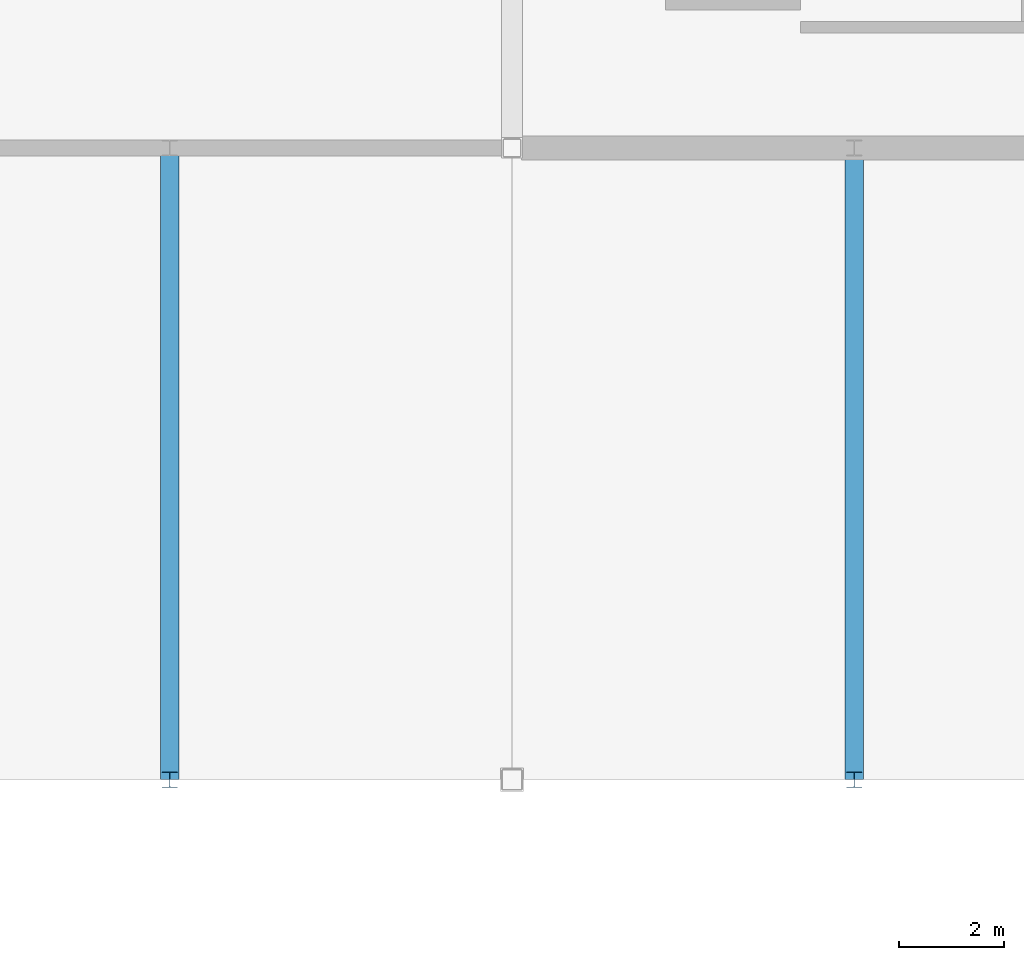
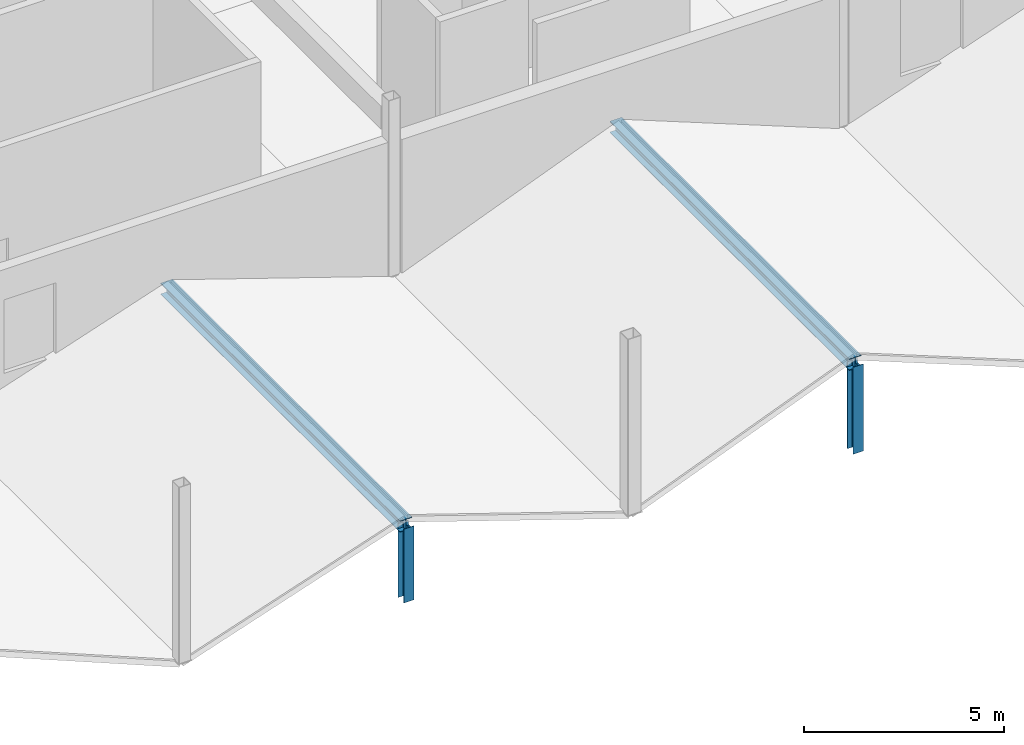
# One storey, part 36 of 76: 4 members.
"""IFC4 building model written with IfcOpenShell, lengths in metres."""

import ifcopenshell
import ifcopenshell.guid

model = None  # the IFC model being written
_history = None  # IfcOwnerHistory: only IFC2X3 demands one
_inside = {}  # id of a spatial element -> (the spatial element, [elements in it])
_under = {}  # id of a project, library or spatial element -> (it, [spatial elements below it])
_declared = {}  # id of a project -> (the project, [libraries it declares])
_typed = {}  # id of a type object -> (the type object, [elements of that type])
_made_of = {}  # id of a material, layer set ... -> (it, [elements and type objects made of it])


def new_model(schema):
    """Start an empty IFC model of exactly this schema.

    Asked for "IFC4X3", IfcOpenShell would pick the latest addendum, in which some entities
    have other attributes; the version numbers below select the first issue.
    IFC2X3 requires an IfcOwnerHistory on every rooted entity: one is made here for all.
    """
    global model, _history
    if schema == "IFC4X3":
        model = ifcopenshell.file(schema_version=(4, 3, 0, 0))
    else:
        model = ifcopenshell.file(schema=schema)
    _inside.clear()
    _under.clear()
    _declared.clear()
    _typed.clear()
    _made_of.clear()
    _history = None
    if model.schema == "IFC2X3":
        org = make("IfcOrganization", Name="unknown")
        user = make(
            "IfcPersonAndOrganization",
            ThePerson=make("IfcPerson", FamilyName="unknown"),
            TheOrganization=org,
        )
        app = make(
            "IfcApplication",
            ApplicationDeveloper=org,
            Version="unknown",
            ApplicationFullName="unknown",
            ApplicationIdentifier="unknown",
        )
        _history = make(
            "IfcOwnerHistory",
            OwningUser=user,
            OwningApplication=app,
            ChangeAction="ADDED",
            CreationDate=0,
        )
    return model


def make(cls, **values):
    """One entity of the class cls with the attributes given. An attribute that is None is left unset."""
    return model.create_entity(
        cls, **{name: value for name, value in values.items() if value is not None}
    )


def rooted(cls, **values):
    """An entity with a GlobalId (a new one), such as an element, a storey or a relation."""
    return make(cls, GlobalId=ifcopenshell.guid.new(), OwnerHistory=_history, **values)


def si_unit(unit_type, name, prefix=None):
    """IfcSIUnit, for example si_unit("LENGTHUNIT", "METRE", prefix="MILLI")."""
    return make("IfcSIUnit", UnitType=unit_type, Prefix=prefix, Name=name)


def assignment(units):
    """IfcUnitAssignment: the units of a project."""
    return None if units is None else make("IfcUnitAssignment", Units=units)


def point(xyz):
    """IfcCartesianPoint."""
    return None if xyz is None else make("IfcCartesianPoint", Coordinates=xyz)


def direction(xyz):
    """IfcDirection."""
    return None if xyz is None else make("IfcDirection", DirectionRatios=xyz)


def frame(location, z_axis=None, x_axis=None):
    """IfcAxis2Placement3D, a coordinate frame: its origin and axes. An axis left out is left unset."""
    return make(
        "IfcAxis2Placement3D",
        Location=point(location),
        Axis=direction(z_axis),
        RefDirection=direction(x_axis),
    )


def frame_2d(location, x_axis=None):
    """IfcAxis2Placement2D, a coordinate frame in the plane: its origin and x axis."""
    return make(
        "IfcAxis2Placement2D", Location=point(location), RefDirection=direction(x_axis)
    )


def origin():
    """The frame at (0, 0, 0) with its axes left unset."""
    return frame((0.0, 0.0, 0.0))


def origin_2d():
    """The frame at (0, 0) in the plane with its x axis left unset."""
    return frame_2d((0.0, 0.0))


def place(relative_to, where):
    """IfcLocalPlacement: puts the frame where relative to a parent placement (None: the world)."""
    return make(
        "IfcLocalPlacement", PlacementRelTo=relative_to, RelativePlacement=where
    )


def context(
    kind, dimensions, precision=None, world=None, true_north=None, identifier=None
):
    """IfcGeometricRepresentationContext, for example the 3D "Model" context."""
    return make(
        "IfcGeometricRepresentationContext",
        ContextIdentifier=identifier,
        ContextType=kind,
        CoordinateSpaceDimension=dimensions,
        Precision=precision,
        WorldCoordinateSystem=world,
        TrueNorth=true_north,
    )


def subcontext(parent, identifier, kind, view, scale=None):
    """IfcGeometricRepresentationSubContext, for example "Body" below "Model"."""
    return make(
        "IfcGeometricRepresentationSubContext",
        ContextIdentifier=identifier,
        ContextType=kind,
        ParentContext=parent,
        TargetScale=scale,
        TargetView=view,
    )


def project(units=None, contexts=None):
    """IfcProject with its units and contexts."""
    return rooted(
        "IfcProject",
        Name="project",
        RepresentationContexts=contexts,
        UnitsInContext=assignment(units),
    )


def spatial(cls, under=None, at=None, **own):
    """A site, building, storey or space (cls), placed at a placement, below another one or the project."""
    s = rooted(cls, ObjectPlacement=at, **own)
    if under is not None:
        _under.setdefault(under.id(), (under, []))[1].append(s)
    return s


def profile(cls, at=None, kind="AREA", **sizes):
    """A parametric profile (cls). Its sizes go by their IFC names, for example OverallWidth=200.0."""
    return make(cls, ProfileType=kind, Position=at, **sizes)


def i_section(**sizes):
    """IfcIShapeProfileDef."""
    return profile("IfcIShapeProfileDef", **sizes)


def extrude(swept, where, along, depth):
    """IfcExtrudedAreaSolid: the profile swept, set in the frame where, extruded along a direction by depth."""
    return make(
        "IfcExtrudedAreaSolid",
        SweptArea=swept,
        Position=where,
        ExtrudedDirection=direction(along),
        Depth=depth,
    )


def shape(context_of_items, identifier, shape_type, items):
    """IfcShapeRepresentation: the items that make up one representation, for example the "Body"."""
    return make(
        "IfcShapeRepresentation",
        ContextOfItems=context_of_items,
        RepresentationIdentifier=identifier,
        RepresentationType=shape_type,
        Items=items,
    )


def material(Name=None, Category=None):
    """IfcMaterial."""
    return make("IfcMaterial", Name=Name, Category=Category)


def material_profile(
    of_material, cross_section, Name=None, Category=None, Priority=None
):
    """IfcMaterialProfile: a cross section and its material."""
    return make(
        "IfcMaterialProfile",
        Name=Name,
        Material=of_material,
        Profile=cross_section,
        Priority=Priority,
        Category=Category,
    )


def profile_set(profiles, Name=None, composite=None):
    """IfcMaterialProfileSet."""
    return make(
        "IfcMaterialProfileSet",
        Name=Name,
        MaterialProfiles=profiles,
        CompositeProfile=composite,
    )


def made_of(thing, what):
    """Note that an element or type object is made of a material, layer set ...; save() writes the relation."""
    if what is not None:
        _made_of.setdefault(what.id(), (what, []))[1].append(thing)
    return thing


def type_object(cls, material=None, **own):
    """A type object (cls), such as IfcWallType, which elements share."""
    return made_of(rooted(cls, **own), material)


def element(
    cls,
    number,
    at=None,
    inside=None,
    cuts=None,
    type_object=None,
    material=None,
    context=None,
    identifier="Body",
    shape_type=None,
    held_by="IfcProductDefinitionShape",
    body=None,
    shapes=None,
    **own,
):
    """One element of the class cls, such as IfcWall. Its Tag is "e" and its number.

    at: its placement. inside: the storey or other place that contains it. cuts: it is an
    opening in that element (IfcRelVoidsElement). A single representation is given by context,
    identifier, shape_type and body (its items); several are given by shapes. held_by: the class
    of the entity that holds the representations. save() writes the other relations.
    """
    e = rooted(cls, Tag="e%d" % number, ObjectPlacement=at, **own)
    if body is not None:
        shapes = [shape(context, identifier, shape_type, body)]
    if shapes is not None:
        e.Representation = make(held_by, Representations=shapes)
    if inside is not None:
        _inside.setdefault(inside.id(), (inside, []))[1].append(e)
    if cuts is not None:
        rooted(
            "IfcRelVoidsElement", RelatingBuildingElement=cuts, RelatedOpeningElement=e
        )
    if type_object is not None:
        _typed.setdefault(type_object.id(), (type_object, []))[1].append(e)
    return made_of(e, material)


def aggregate(whole, parts):
    """IfcRelAggregates: a whole, such as a stair, and the parts it consists of."""
    return rooted("IfcRelAggregates", RelatingObject=whole, RelatedObjects=parts)


def save(model, path):
    """Write the relations noted so far, then the file.

    IfcRelAggregates (storeys below a building ...), IfcRelContainedInSpatialStructure (elements
    in a storey), IfcRelDefinesByType, IfcRelAssociatesMaterial and IfcRelDeclares: one each for
    every whole, place, type object, material and project.
    """
    for whole, parts in _under.values():
        aggregate(whole, parts)
    for where, things in _inside.values():
        rooted(
            "IfcRelContainedInSpatialStructure",
            RelatedElements=things,
            RelatingStructure=where,
        )
    for kind, things in _typed.values():
        rooted("IfcRelDefinesByType", RelatedObjects=things, RelatingType=kind)
    for what, things in _made_of.values():
        rooted("IfcRelAssociatesMaterial", RelatedObjects=things, RelatingMaterial=what)
    for by, libraries in _declared.values():
        rooted("IfcRelDeclares", RelatingContext=by, RelatedDefinitions=libraries)
    model.write(path)


model = new_model("IFC4")

# Units and contexts
model_context = context("Model", 3, precision=1e-05, world=origin(), true_north=direction((0.0, 1.0)))
body_context = subcontext(model_context, "Body", "Model", "MODEL_VIEW")
ifc_project = project(units=[si_unit("LENGTHUNIT", "METRE"), si_unit("AREAUNIT", "SQUARE_METRE"), si_unit("VOLUMEUNIT", "CUBIC_METRE"), si_unit("PLANEANGLEUNIT", "RADIAN"), si_unit("MASSUNIT", "GRAM", prefix="KILO")], contexts=[model_context])

# Site, building, storey
site_placement = place(None, origin())
site = spatial("IfcSite", under=ifc_project, at=site_placement, CompositionType="ELEMENT")
building_placement = place(site_placement, origin())
building = spatial("IfcBuilding", under=site, at=building_placement, Name="Kazenohara Klinker Stadium", CompositionType="ELEMENT")
storey_placement = place(building_placement, frame((0.0, 0.0, 25.800048828125)))
storey = spatial("IfcBuildingStorey", under=building, at=storey_placement, Name="L05", CompositionType="ELEMENT", Elevation=25.800048828125)

# Members
ifc_material = material(Name="Steel S355", Category="steel")
ifc_material_profile_1 = material_profile(ifc_material, i_section(OverallWidth=0.35009765625, OverallDepth=0.35009765625, WebThickness=0.011962890625, FlangeThickness=0.01904296875, FilletRadius=0.012939453125, at=origin_2d()), Name="H-350x350x12x19")
ifc_profile_set_1 = profile_set([ifc_material_profile_1], Name="Steel S355")
member_type_1 = type_object("IfcMemberType", Name="MEM-CHD02", PredefinedType="CHORD", material=ifc_profile_set_1)
for number, where, z_axis, x_axis, name in (
    (1, (105.5, 132.0, 1.829833984375), (0.0, 1.0, 0.0), (-1.0, 0.0, 0.0), "Stepped pavilion gable ridge beam L05 9/M"),
    (2, (118.5, 132.0, 2.22998046875), (0.0, 1.0, 0.0), (-1.0, 0.0, 0.0), "Stepped pavilion gable ridge beam L05 10/M"),
):
    element("IfcMember", number, at=place(storey_placement, frame(where, z_axis=z_axis, x_axis=x_axis)), inside=storey, type_object=member_type_1, Name=name, PredefinedType="CHORD", context=body_context, shape_type="SweptSolid", body=[
        extrude(i_section(OverallWidth=0.35009765625, OverallDepth=0.35009765625, WebThickness=0.011962890625, FlangeThickness=0.01904296875, FilletRadius=0.012939453125, at=origin_2d()), origin(), (0.0, 0.0, 1.0), 12.0),
    ])
ifc_material_profile_2 = material_profile(ifc_material, i_section(OverallWidth=0.300048828125, OverallDepth=0.300048828125, WebThickness=0.010009765625, FlangeThickness=0.014892578125, FilletRadius=0.012939453125, at=origin_2d()), Name="H-300x300x10x15")
ifc_profile_set_2 = profile_set([ifc_material_profile_2], Name="Steel S355")
member_type_2 = type_object("IfcMemberType", Name="MEM-STR01", PredefinedType="STRUT", material=ifc_profile_set_2)
member_1_placement = place(storey_placement, frame((105.5, 132.0, -0.429931640625), z_axis=(0.0, 0.0, 1.0), x_axis=(1.0, 0.0, 0.0)))
element("IfcMember", 3, at=member_1_placement, inside=storey, type_object=member_type_2, Name="Stepped pavilion gable king-post L05 9/M S", PredefinedType="STRUT", context=body_context, shape_type="SweptSolid", body=[
    extrude(i_section(OverallWidth=0.300048828125, OverallDepth=0.300048828125, WebThickness=0.010009765625, FlangeThickness=0.014892578125, FilletRadius=0.012939453125, at=origin_2d()), origin(), (0.0, 0.0, 1.0), 2.259765625),
])
member_2_placement = place(storey_placement, frame((118.5, 132.0, -0.429931640625), z_axis=(0.0, 0.0, 1.0), x_axis=(1.0, 0.0, 0.0)))
element("IfcMember", 4, at=member_2_placement, inside=storey, type_object=member_type_2, Name="Stepped pavilion gable king-post L05 10/M S", PredefinedType="STRUT", context=body_context, shape_type="SweptSolid", body=[
    extrude(i_section(OverallWidth=0.300048828125, OverallDepth=0.300048828125, WebThickness=0.010009765625, FlangeThickness=0.014892578125, FilletRadius=0.012939453125, at=origin_2d()), origin(), (0.0, 0.0, 1.0), 2.659912109375),
])

save(model, "model.ifc")
